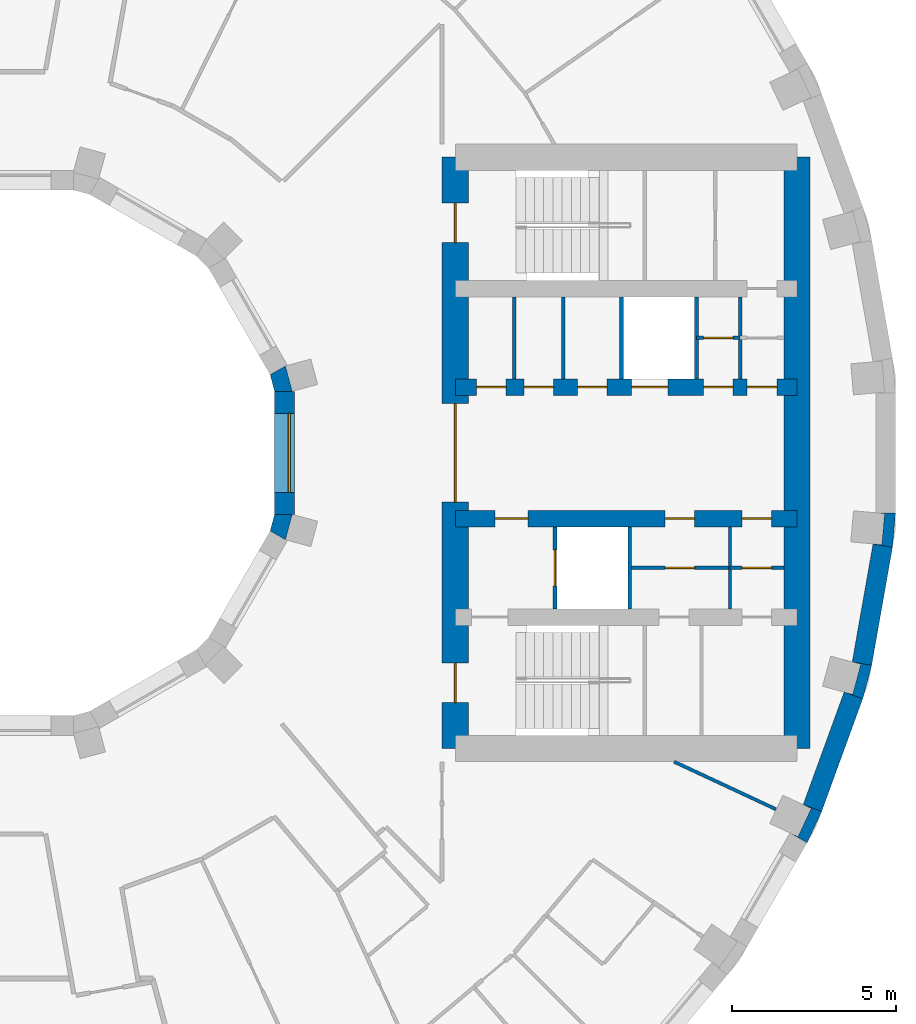
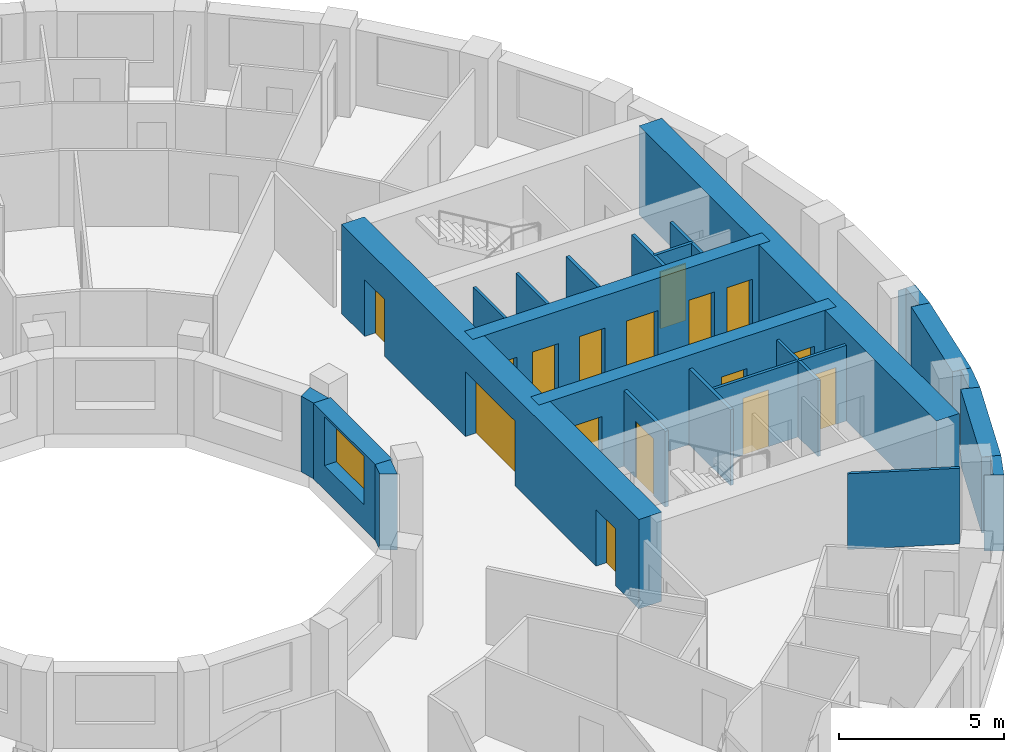
# One storey, part 10 of 16: 24 walls, 16 doors, 1 window, 17 openings.
"""IFC4 building model written with IfcOpenShell, lengths in metres."""

from ifc_helpers import new_model, si_unit, direction, frame, frame_2d, origin, place, context, subcontext, project, spatial, polyline, rectangle, outline, extrude, material, layer, layer_set, type_object, element, fill, save


model = new_model("IFC4")

# Units and contexts
model_context = context("Model", 3, precision=1e-05, world=origin(), true_north=direction((0.0, 1.0)))
body_context = subcontext(model_context, "Body", "Model", "MODEL_VIEW")
ifc_project = project(units=[si_unit("LENGTHUNIT", "METRE"), si_unit("AREAUNIT", "SQUARE_METRE"), si_unit("VOLUMEUNIT", "CUBIC_METRE"), si_unit("PLANEANGLEUNIT", "RADIAN"), si_unit("MASSUNIT", "GRAM", prefix="KILO")], contexts=[model_context])

# Site, building, storey
site_placement = place(None, origin())
site = spatial("IfcSite", under=ifc_project, at=site_placement, CompositionType="ELEMENT")
building_placement = place(site_placement, origin())
building = spatial("IfcBuilding", under=site, at=building_placement, Name="Saqina Gate Tower", CompositionType="ELEMENT")
storey_placement = place(building_placement, frame((0.0, 0.0, 141.39990234375)))
storey = spatial("IfcBuildingStorey", under=building, at=storey_placement, Name="L40", CompositionType="ELEMENT", Elevation=141.39990234375)

# Walls
ifc_material_1 = material(Name="Brick masonry (buff)", Category="masonry")
wall_type_1 = type_object("IfcWallType", Name="BRICK PIER COPING BUFF", PredefinedType="SOLIDWALL", material=ifc_material_1)
wall_1_placement = place(storey_placement, origin())
element("IfcWall", 1, at=wall_1_placement, inside=storey, type_object=wall_type_1, Name="Pier cap L40 column 34", PredefinedType="SOLIDWALL", context=body_context, shape_type="SweptSolid", body=[
    extrude(outline(polyline([(24.6513671875, -10.913330078125), (24.08740234375, -10.7080078125), (24.331298828125, -10.82177734375), (23.9296875, -11.6826171875), (23.68603515625, -11.569091796875), (24.205810546875, -11.869140625), (24.6513671875, -10.913330078125)])), origin(), (0.0, 0.0, 1.0), 2.800048828125),
])
wall_2_placement = place(storey_placement, origin())
element("IfcWall", 2, at=wall_2_placement, inside=storey, type_object=wall_type_1, Name="Pier cap L40 column 35", PredefinedType="SOLIDWALL", context=body_context, shape_type="SweptSolid", body=[
    extrude(outline(polyline([(25.89892578125, -7.485595703125), (26.171875, -6.466796875), (25.5810546875, -6.36279296875), (25.8408203125, -6.43212890625), (25.5947265625, -7.349853515625), (25.335205078125, -7.2802734375), (25.89892578125, -7.485595703125)])), origin(), (0.0, 0.0, 1.0), 2.800048828125),
])
wall_3_placement = place(storey_placement, origin())
element("IfcWall", 3, at=wall_3_placement, inside=storey, type_object=wall_type_1, Name="Pier cap L40 column 36", PredefinedType="SOLIDWALL", context=body_context, shape_type="SweptSolid", body=[
    extrude(outline(polyline([(26.805419921875, -2.87451171875), (26.897216796875, -1.823974609375), (26.29736328125, -1.823974609375), (26.565185546875, -1.847412109375), (26.482421875, -2.793701171875), (26.214599609375, -2.770263671875), (26.805419921875, -2.87451171875)])), origin(), (0.0, 0.0, 1.0), 2.800048828125),
])
ifc_material_2 = material(Name="Gypsum board on steel studs", Category="steel")
ifc_layer_1 = layer(ifc_material_2, 0.10009765625)
ifc_layer_set_1 = layer_set([ifc_layer_1], Name="CORE PARTITION")
wall_type_2 = type_object("IfcWallType", Name="CORE PARTITION", PredefinedType="PARTITIONING", material=ifc_layer_set_1)
for number, where, z_axis, x_axis, name in (
    (4, (15.298095703125, 2.25, 0.0), (0.0, 0.0, 1.0), (0.0, 1.0, 0.0), "L40-CP-E01"),
    (5, (16.789306640625, 2.25, 0.0), (0.0, 0.0, 1.0), (0.0, 1.0, 0.0), "L40-CP-E02"),
    (6, (22.169921875, 2.25, 0.0), (0.0, 0.0, 1.0), (0.0, 1.0, 0.0), "L40-CP-E05"),
    (7, (21.8583984375, -4.75, 0.0), (0.0, 0.0, 1.0), (0.0, 1.0, 0.0), "L40-CP-E08"),
):
    element("IfcWall", number, at=place(storey_placement, frame(where, z_axis=z_axis, x_axis=x_axis)), inside=storey, type_object=wall_type_2, Name=name, PredefinedType="PARTITIONING", context=body_context, shape_type="SweptSolid", body=[
        extrude(rectangle(XDim=2.5, YDim=0.10009765625, at=frame_2d((1.25, 0.0))), origin(), (0.0, 0.0, 1.0), 2.800048828125),
    ])

# Wall, opening, door
wall_4_placement = place(storey_placement, frame((20.840087890625, 3.5, 0.0), z_axis=(0.0, 0.0, 1.0), x_axis=(1.0, 0.0, 0.0)))
wall_4 = element("IfcWall", 8, at=wall_4_placement, inside=storey, type_object=wall_type_2, Name="L40-CP-E09", PredefinedType="PARTITIONING", context=body_context, shape_type="SweptSolid", body=[
    extrude(rectangle(XDim=1.329833984375, YDim=0.10009765625, at=frame_2d((0.6650390625, 0.0))), origin(), (0.0, 0.0, 1.0), 2.800048828125),
])
opening_1_placement = place(wall_4_placement, frame((0.215087890625, 0.0, 0.0)))
opening_1 = element("IfcOpeningElement", 9, at=opening_1_placement, cuts=wall_4, Name="Opening G12-D99", PredefinedType="OPENING", context=body_context, shape_type="SweptSolid", body=[
    extrude(rectangle(XDim=0.89990234375, YDim=2.10009765625, at=frame_2d((0.449951171875, 1.050048828125))), frame((0.0, 0.06201171875, 0.0), z_axis=(0.0, -1.0, 0.0), x_axis=(1.0, 0.0, 0.0)), (0.0, 0.0, 1.0), 0.1240234375),
])
ifc_material_3 = material(Name="Steel-framed fire door leaf, EI 60", Category="steel")
door_type_1 = type_object("IfcDoorType", Name="SERVICE ROOM DOOR 900", OperationType="SINGLE_SWING_LEFT", PredefinedType="DOOR", material=ifc_material_3)
door_1_placement = place(opening_1_placement, origin())
door_1 = element("IfcDoor", 10, at=door_1_placement, inside=storey, type_object=door_type_1, Name="L40-CD-E10", OperationType="SINGLE_SWING_LEFT", OverallHeight=2.10009765625, OverallWidth=0.89990234375, PredefinedType="DOOR", context=body_context, shape_type="SweptSolid", body=[
    extrude(rectangle(XDim=0.89990234375, YDim=2.10009765625, at=frame_2d((0.449951171875, 1.050048828125))), frame((0.0, 0.02490234375, 0.0), z_axis=(0.0, -1.0, 0.0), x_axis=(1.0, 0.0, 0.0)), (0.0, 0.0, 1.0), 0.050048828125),
])
fill(opening_1, door_1)

wall_5_placement = place(storey_placement, frame((18.81005859375, -3.5, 0.0), z_axis=(0.0, 0.0, 1.0), x_axis=(1.0, 0.0, 0.0)))
wall_5 = element("IfcWall", 11, at=wall_5_placement, inside=storey, type_object=wall_type_2, Name="L40-CP-E11", PredefinedType="PARTITIONING", context=body_context, shape_type="SweptSolid", body=[
    extrude(rectangle(XDim=3.04833984375, YDim=0.10009765625, at=frame_2d((1.524169921875, 0.0))), origin(), (0.0, 0.0, 1.0), 2.800048828125),
])
opening_2_placement = place(wall_5_placement, frame((1.07421875, 0.0, 0.0)))
opening_2 = element("IfcOpeningElement", 12, at=opening_2_placement, cuts=wall_5, Name="Opening G12-D103", PredefinedType="OPENING", context=body_context, shape_type="SweptSolid", body=[
    extrude(rectangle(XDim=0.89990234375, YDim=2.10009765625, at=frame_2d((0.449951171875, 1.050048828125))), frame((0.0, 0.06201171875, 0.0), z_axis=(0.0, -1.0, 0.0), x_axis=(1.0, 0.0, 0.0)), (0.0, 0.0, 1.0), 0.1240234375),
])
door_2_placement = place(opening_2_placement, frame((0.89990234375, 0.0, 0.0), z_axis=(0.0, 0.0, 1.0), x_axis=(-1.0, 0.0, 0.0)))
door_2 = element("IfcDoor", 13, at=door_2_placement, inside=storey, type_object=door_type_1, Name="L40-CD-E14", OperationType="SINGLE_SWING_RIGHT", OverallHeight=2.10009765625, OverallWidth=0.89990234375, PredefinedType="DOOR", context=body_context, shape_type="SweptSolid", body=[
    extrude(rectangle(XDim=0.89990234375, YDim=2.10009765625, at=frame_2d((0.449951171875, 1.050048828125))), frame((0.0, 0.02490234375, 0.0), z_axis=(0.0, -1.0, 0.0), x_axis=(1.0, 0.0, 0.0)), (0.0, 0.0, 1.0), 0.050048828125),
])
fill(opening_2, door_2)

wall_6_placement = place(storey_placement, frame((21.8583984375, -3.5, 0.0), z_axis=(0.0, 0.0, 1.0), x_axis=(1.0, 0.0, 0.0)))
wall_6 = element("IfcWall", 14, at=wall_6_placement, inside=storey, type_object=wall_type_2, Name="L40-CP-E12", PredefinedType="PARTITIONING", context=body_context, shape_type="SweptSolid", body=[
    extrude(rectangle(XDim=1.6416015625, YDim=0.10009765625, at=frame_2d((0.82080078125, 0.0))), origin(), (0.0, 0.0, 1.0), 2.800048828125),
])
opening_3_placement = place(wall_6_placement, frame((0.370849609375, 0.0, 0.0)))
opening_3 = element("IfcOpeningElement", 15, at=opening_3_placement, cuts=wall_6, Name="Opening G12-D102", PredefinedType="OPENING", context=body_context, shape_type="SweptSolid", body=[
    extrude(rectangle(XDim=0.89990234375, YDim=2.10009765625, at=frame_2d((0.449951171875, 1.050048828125))), frame((0.0, 0.06201171875, 0.0), z_axis=(0.0, -1.0, 0.0), x_axis=(1.0, 0.0, 0.0)), (0.0, 0.0, 1.0), 0.1240234375),
])
door_3_placement = place(opening_3_placement, frame((0.89990234375, 0.0, 0.0), z_axis=(0.0, 0.0, 1.0), x_axis=(-1.0, 0.0, 0.0)))
door_3 = element("IfcDoor", 16, at=door_3_placement, inside=storey, type_object=door_type_1, Name="L40-CD-E13", OperationType="SINGLE_SWING_LEFT", OverallHeight=2.10009765625, OverallWidth=0.89990234375, PredefinedType="DOOR", context=body_context, shape_type="SweptSolid", body=[
    extrude(rectangle(XDim=0.89990234375, YDim=2.10009765625, at=frame_2d((0.449951171875, 1.050048828125))), frame((0.0, 0.02490234375, 0.0), z_axis=(0.0, -1.0, 0.0), x_axis=(1.0, 0.0, 0.0)), (0.0, 0.0, 1.0), 0.050048828125),
])
fill(opening_3, door_3)

# Walls
ifc_material_4 = material(Name="Glazed ceramic tile", Category="ceramic")
ifc_layer_2 = layer(ifc_material_4, 0.60009765625)
ifc_layer_set_2 = layer_set([ifc_layer_2], Name="FW-TILE")
wall_type_3 = type_object("IfcWallType", Name="FW-TILE", PredefinedType="SOLIDWALL", material=ifc_layer_set_2)
wall_7_placement = place(storey_placement, frame((25.87646484375, -6.414794921875, 0.0), z_axis=(0.0, 0.0, 1.0), x_axis=(0.173670796382, 0.984803764455, 0.0)))
element("IfcWall", 17, at=wall_7_placement, inside=storey, type_object=wall_type_3, Name="Facade wall L40 facet 35", PredefinedType="SOLIDWALL", context=body_context, shape_type="SweptSolid", body=[
    extrude(rectangle(XDim=3.64794921875, YDim=0.60009765625, at=frame_2d((1.823974609375, 0.0))), origin(), (0.0, 0.0, 1.0), 2.800048828125),
])
ifc_material_5 = material(Name="Glazed ceramic tile (dark blue)", Category="ceramic")
ifc_layer_3 = layer(ifc_material_5, 0.60009765625)
ifc_layer_set_3 = layer_set([ifc_layer_3], Name="FW-TILE-CB")
wall_type_4 = type_object("IfcWallType", Name="FW-TILE-CB", PredefinedType="SOLIDWALL", material=ifc_layer_set_3)
wall_8_placement = place(storey_placement, frame((24.369384765625, -10.810791015625, 0.0), z_axis=(0.0, 0.0, 1.0), x_axis=(0.341990236633, 0.939703505393, 0.0)))
element("IfcWall", 18, at=wall_8_placement, inside=storey, type_object=wall_type_4, Name="Facade wall L40 facet 34", PredefinedType="SOLIDWALL", context=body_context, shape_type="SweptSolid", body=[
    extrude(rectangle(XDim=3.64794921875, YDim=0.60009765625, at=frame_2d((1.823974609375, 0.0))), origin(), (0.0, 0.0, 1.0), 2.800048828125),
])

# Wall, opening, window
ifc_material_6 = material(Name="Glazed ceramic tile", Category="ceramic")
ifc_layer_4 = layer(ifc_material_6, 0.60009765625)
ifc_layer_set_4 = layer_set([ifc_layer_4], Name="IW-TILE")
wall_type_5 = type_object("IfcWallType", Name="IW-TILE", PredefinedType="SOLIDWALL", material=ifc_layer_set_4)
wall_9_placement = place(storey_placement, frame((8.300048828125, -1.873779296875, 0.0), z_axis=(0.0, 0.0, 1.0), x_axis=(0.0, 1.0, 0.0)))
wall_9 = element("IfcWall", 19, at=wall_9_placement, inside=storey, type_object=wall_type_5, Name="Well wall L40 facet 12", PredefinedType="SOLIDWALL", context=body_context, shape_type="SweptSolid", body=[
    extrude(rectangle(XDim=3.74755859375, YDim=0.60009765625, at=frame_2d((1.873779296875, 0.0))), origin(), (0.0, 0.0, 1.0), 2.800048828125),
])
opening_4_placement = place(wall_9_placement, frame((0.673583984375, 0.0, 0.89990234375)))
opening_4 = element("IfcOpeningElement", 20, at=opening_4_placement, cuts=wall_9, Name="Opening G12-W34", PredefinedType="OPENING", context=body_context, shape_type="SweptSolid", body=[
    extrude(rectangle(XDim=2.39990234375, YDim=1.800048828125, at=frame_2d((1.199951171875, 0.89990234375))), frame((0.0, 0.31201171875, 0.0), z_axis=(0.0, -1.0, 0.0), x_axis=(1.0, 0.0, 0.0)), (0.0, 0.0, 1.0), 0.6240234375),
])
ifc_material_7 = material(Name="Aluminium glazing", Category="aluminium")
window_type = type_object("IfcWindowType", Name="WN-W", PartitioningType="SINGLE_PANEL", PredefinedType="WINDOW", material=ifc_material_7)
window_placement = place(opening_4_placement, origin())
window = element("IfcWindow", 21, at=window_placement, inside=storey, type_object=window_type, Name="Well window L40 facet 12", OverallHeight=1.800048828125, OverallWidth=2.39990234375, PartitioningType="SINGLE_PANEL", PredefinedType="WINDOW", context=body_context, shape_type="SweptSolid", body=[
    extrude(rectangle(XDim=2.39990234375, YDim=1.800048828125, at=frame_2d((1.199951171875, 0.89990234375))), frame((0.0, -0.119873046875, 0.0), z_axis=(0.0, -1.0, 0.0), x_axis=(1.0, 0.0, 0.0)), (0.0, 0.0, 1.0), 0.06005859375),
])
fill(opening_4, window)

# Walls
ifc_material_8 = material(Name="Gypsum board on steel studs, 100 mm", Category="steel")
ifc_layer_5 = layer(ifc_material_8, 0.10009765625)
ifc_layer_set_5 = layer_set([ifc_layer_5], Name="PARTITION 100")
wall_type_6 = type_object("IfcWallType", Name="PARTITION 100", PredefinedType="PARTITIONING", material=ifc_layer_set_5)
wall_10_placement = place(storey_placement, frame((20.159912109375, -9.39990234375, 0.0), z_axis=(0.0, 0.0, 1.0), x_axis=(0.906121146584, -0.423018282954, 0.0)))
element("IfcWall", 22, at=wall_10_placement, inside=storey, type_object=wall_type_6, Name="PARTITION PW3-46", PredefinedType="PARTITIONING", context=body_context, shape_type="SweptSolid", body=[
    extrude(rectangle(XDim=3.42138671875, YDim=0.10009765625, at=frame_2d((1.710693359375, 0.0))), origin(), (0.0, 0.0, 1.0), 2.800048828125),
])
ifc_material_9 = material(Name="Autoclaved aerated concrete block", Category="concrete")
ifc_layer_6 = layer(ifc_material_9, 0.1201171875)
ifc_layer_set_6 = layer_set([ifc_layer_6], Name="SHAFT PARTITION")
wall_type_7 = type_object("IfcWallType", Name="SHAFT PARTITION", PredefinedType="PARTITIONING", material=ifc_layer_set_6)
for number, where, z_axis, x_axis, name in (
    (23, (18.56005859375, 2.25, 0.0), (0.0, 0.0, 1.0), (0.0, 1.0, 0.0), "L40-CP-E03"),
    (24, (20.840087890625, 2.25, 0.0), (0.0, 0.0, 1.0), (0.0, 1.0, 0.0), "L40-CP-E04"),
):
    element("IfcWall", number, at=place(storey_placement, frame(where, z_axis=z_axis, x_axis=x_axis)), inside=storey, type_object=wall_type_7, Name=name, PredefinedType="PARTITIONING", context=body_context, shape_type="SweptSolid", body=[
        extrude(rectangle(XDim=2.5, YDim=0.1201171875, at=frame_2d((1.25, 0.0))), origin(), (0.0, 0.0, 1.0), 2.800048828125),
    ])

# Wall, opening, door
wall_11_placement = place(storey_placement, frame((16.530029296875, -4.75, 0.0), z_axis=(0.0, 0.0, 1.0), x_axis=(0.0, 1.0, 0.0)))
wall_11 = element("IfcWall", 25, at=wall_11_placement, inside=storey, type_object=wall_type_7, Name="L40-CP-E06", PredefinedType="PARTITIONING", context=body_context, shape_type="SweptSolid", body=[
    extrude(rectangle(XDim=2.5, YDim=0.1201171875, at=frame_2d((1.25, 0.0))), origin(), (0.0, 0.0, 1.0), 2.800048828125),
])
opening_5_placement = place(wall_11_placement, frame((0.699951171875, 0.0, 0.0)))
opening_5 = element("IfcOpeningElement", 26, at=opening_5_placement, cuts=wall_11, Name="Opening G12-LD2", PredefinedType="OPENING", context=body_context, shape_type="SweptSolid", body=[
    extrude(rectangle(XDim=1.10009765625, YDim=2.10009765625, at=frame_2d((0.550048828125, 1.050048828125))), frame((0.0, 0.072021484375, 0.0), z_axis=(0.0, -1.0, 0.0), x_axis=(1.0, 0.0, 0.0)), (0.0, 0.0, 1.0), 0.14404296875),
])
ifc_material_10 = material(Name="Stainless steel", Category="steel")
door_type_2 = type_object("IfcDoorType", Name="LANDING DOOR", OperationType="DOUBLE_DOOR_SLIDING", PredefinedType="DOOR", material=ifc_material_10)
door_4_placement = place(opening_5_placement, origin())
door_4 = element("IfcDoor", 27, at=door_4_placement, inside=storey, type_object=door_type_2, Name="LANDING DOOR FF1", OperationType="DOUBLE_DOOR_SLIDING", OverallHeight=2.10009765625, OverallWidth=1.10009765625, PredefinedType="DOOR", context=body_context, shape_type="SweptSolid", body=[
    extrude(rectangle(XDim=1.10009765625, YDim=2.10009765625, at=frame_2d((0.550048828125, 1.050048828125))), frame((0.0, 0.02490234375, 0.0), z_axis=(0.0, -1.0, 0.0), x_axis=(1.0, 0.0, 0.0)), (0.0, 0.0, 1.0), 0.050048828125),
])
fill(opening_5, door_4)

# Wall
wall_12_placement = place(storey_placement, frame((18.81005859375, -4.75, 0.0), z_axis=(0.0, 0.0, 1.0), x_axis=(0.0, 1.0, 0.0)))
element("IfcWall", 28, at=wall_12_placement, inside=storey, type_object=wall_type_7, Name="L40-CP-E07", PredefinedType="PARTITIONING", context=body_context, shape_type="SweptSolid", body=[
    extrude(rectangle(XDim=2.5, YDim=0.1201171875, at=frame_2d((1.25, 0.0))), origin(), (0.0, 0.0, 1.0), 2.800048828125),
])

# Wall, openings, doors
ifc_material_11 = material(Name="Concrete C70/85", Category="concrete")
ifc_layer_7 = layer(ifc_material_11, 0.5)
ifc_layer_set_7 = layer_set([ifc_layer_7], Name="Concrete C70/85")
wall_type_8 = type_object("IfcWallType", Name="STR-CORE WALL-B-I", PredefinedType="SHEAR", material=ifc_layer_set_7)
wall_13_placement = place(storey_placement, frame((13.5, 2.0, 0.0), z_axis=(0.0, 0.0, 1.0), x_axis=(1.0, 0.0, 0.0)))
wall_13 = element("IfcWall", 29, at=wall_13_placement, inside=storey, type_object=wall_type_8, Name="CORE WALL L40 E-L1", PredefinedType="SHEAR", context=body_context, shape_type="SweptSolid", body=[
    extrude(rectangle(XDim=10.39990234375, YDim=0.5, at=frame_2d((5.199951171875, 0.0))), origin(), (0.0, 0.0, 1.0), 3.300048828125),
])
opening_6_placement = place(wall_13_placement, frame((5.3701171875, 0.0, 0.0)))
opening_6 = element("IfcOpeningElement", 30, at=opening_6_placement, cuts=wall_13, Name="Opening G12-LD1", PredefinedType="OPENING", context=body_context, shape_type="SweptSolid", body=[
    extrude(rectangle(XDim=1.10009765625, YDim=2.10009765625, at=frame_2d((0.550048828125, 1.050048828125))), frame((0.0, 0.261962890625, 0.0), z_axis=(0.0, -1.0, 0.0), x_axis=(1.0, 0.0, 0.0)), (0.0, 0.0, 1.0), 0.52392578125),
])
opening_7_placement = place(wall_13_placement, frame((0.64892578125, 0.0, 0.0)))
opening_7 = element("IfcOpeningElement", 31, at=opening_7_placement, cuts=wall_13, Name="Opening G12-D90", PredefinedType="OPENING", context=body_context, shape_type="SweptSolid", body=[
    extrude(rectangle(XDim=0.89990234375, YDim=2.10009765625, at=frame_2d((0.449951171875, 1.050048828125))), frame((0.0, 0.261962890625, 0.0), z_axis=(0.0, -1.0, 0.0), x_axis=(1.0, 0.0, 0.0)), (0.0, 0.0, 1.0), 0.52392578125),
])
opening_8_placement = place(wall_13_placement, frame((2.093505859375, 0.0, 0.0)))
opening_8 = element("IfcOpeningElement", 32, at=opening_8_placement, cuts=wall_13, Name="Opening G12-D91", PredefinedType="OPENING", context=body_context, shape_type="SweptSolid", body=[
    extrude(rectangle(XDim=0.89990234375, YDim=2.10009765625, at=frame_2d((0.449951171875, 1.050048828125))), frame((0.0, 0.261962890625, 0.0), z_axis=(0.0, -1.0, 0.0), x_axis=(1.0, 0.0, 0.0)), (0.0, 0.0, 1.0), 0.52392578125),
])
opening_9_placement = place(wall_13_placement, frame((3.724609375, 0.0, 0.0)))
opening_9 = element("IfcOpeningElement", 33, at=opening_9_placement, cuts=wall_13, Name="Opening G12-D92", PredefinedType="OPENING", context=body_context, shape_type="SweptSolid", body=[
    extrude(rectangle(XDim=0.89990234375, YDim=2.10009765625, at=frame_2d((0.449951171875, 1.050048828125))), frame((0.0, 0.261962890625, 0.0), z_axis=(0.0, -1.0, 0.0), x_axis=(1.0, 0.0, 0.0)), (0.0, 0.0, 1.0), 0.52392578125),
])
opening_10_placement = place(wall_13_placement, frame((7.554931640625, 0.0, 0.0)))
opening_10 = element("IfcOpeningElement", 34, at=opening_10_placement, cuts=wall_13, Name="Opening G12-D93", PredefinedType="OPENING", context=body_context, shape_type="SweptSolid", body=[
    extrude(rectangle(XDim=0.89990234375, YDim=2.10009765625, at=frame_2d((0.449951171875, 1.050048828125))), frame((0.0, 0.261962890625, 0.0), z_axis=(0.0, -1.0, 0.0), x_axis=(1.0, 0.0, 0.0)), (0.0, 0.0, 1.0), 0.52392578125),
])
opening_11_placement = place(wall_13_placement, frame((8.885009765625, 0.0, 0.0)))
opening_11 = element("IfcOpeningElement", 35, at=opening_11_placement, cuts=wall_13, Name="Opening G12-D94", PredefinedType="OPENING", context=body_context, shape_type="SweptSolid", body=[
    extrude(rectangle(XDim=0.89990234375, YDim=2.10009765625, at=frame_2d((0.449951171875, 1.050048828125))), frame((0.0, 0.261962890625, 0.0), z_axis=(0.0, -1.0, 0.0), x_axis=(1.0, 0.0, 0.0)), (0.0, 0.0, 1.0), 0.52392578125),
])
door_5_placement = place(opening_6_placement, origin())
door_5 = element("IfcDoor", 36, at=door_5_placement, inside=storey, type_object=door_type_2, Name="LANDING DOOR MR1", OperationType="DOUBLE_DOOR_SLIDING", OverallHeight=2.10009765625, OverallWidth=1.10009765625, PredefinedType="DOOR", context=body_context, shape_type="SweptSolid", body=[
    extrude(rectangle(XDim=1.10009765625, YDim=2.10009765625, at=frame_2d((0.550048828125, 1.050048828125))), frame((0.0, 0.02490234375, 0.0), z_axis=(0.0, -1.0, 0.0), x_axis=(1.0, 0.0, 0.0)), (0.0, 0.0, 1.0), 0.050048828125),
])
fill(opening_6, door_5)
door_6_placement = place(opening_7_placement, origin())
door_6 = element("IfcDoor", 37, at=door_6_placement, inside=storey, type_object=door_type_1, Name="L40-CD-E01", OperationType="SINGLE_SWING_LEFT", OverallHeight=2.10009765625, OverallWidth=0.89990234375, PredefinedType="DOOR", context=body_context, shape_type="SweptSolid", body=[
    extrude(rectangle(XDim=0.89990234375, YDim=2.10009765625, at=frame_2d((0.449951171875, 1.050048828125))), frame((0.0, 0.02490234375, 0.0), z_axis=(0.0, -1.0, 0.0), x_axis=(1.0, 0.0, 0.0)), (0.0, 0.0, 1.0), 0.050048828125),
])
fill(opening_7, door_6)
door_7_placement = place(opening_8_placement, origin())
door_7 = element("IfcDoor", 38, at=door_7_placement, inside=storey, type_object=door_type_1, Name="L40-CD-E02", OperationType="SINGLE_SWING_LEFT", OverallHeight=2.10009765625, OverallWidth=0.89990234375, PredefinedType="DOOR", context=body_context, shape_type="SweptSolid", body=[
    extrude(rectangle(XDim=0.89990234375, YDim=2.10009765625, at=frame_2d((0.449951171875, 1.050048828125))), frame((0.0, 0.02490234375, 0.0), z_axis=(0.0, -1.0, 0.0), x_axis=(1.0, 0.0, 0.0)), (0.0, 0.0, 1.0), 0.050048828125),
])
fill(opening_8, door_7)
door_8_placement = place(opening_9_placement, origin())
door_8 = element("IfcDoor", 39, at=door_8_placement, inside=storey, type_object=door_type_1, Name="L40-CD-E03", OperationType="SINGLE_SWING_RIGHT", OverallHeight=2.10009765625, OverallWidth=0.89990234375, PredefinedType="DOOR", context=body_context, shape_type="SweptSolid", body=[
    extrude(rectangle(XDim=0.89990234375, YDim=2.10009765625, at=frame_2d((0.449951171875, 1.050048828125))), frame((0.0, 0.02490234375, 0.0), z_axis=(0.0, -1.0, 0.0), x_axis=(1.0, 0.0, 0.0)), (0.0, 0.0, 1.0), 0.050048828125),
])
fill(opening_9, door_8)
door_9_placement = place(opening_10_placement, origin())
door_9 = element("IfcDoor", 40, at=door_9_placement, inside=storey, type_object=door_type_1, Name="L40-CD-E04", OperationType="SINGLE_SWING_LEFT", OverallHeight=2.10009765625, OverallWidth=0.89990234375, PredefinedType="DOOR", context=body_context, shape_type="SweptSolid", body=[
    extrude(rectangle(XDim=0.89990234375, YDim=2.10009765625, at=frame_2d((0.449951171875, 1.050048828125))), frame((0.0, 0.02490234375, 0.0), z_axis=(0.0, -1.0, 0.0), x_axis=(1.0, 0.0, 0.0)), (0.0, 0.0, 1.0), 0.050048828125),
])
fill(opening_10, door_9)
door_10_placement = place(opening_11_placement, origin())
door_10 = element("IfcDoor", 41, at=door_10_placement, inside=storey, type_object=door_type_1, Name="L40-CD-E05", OperationType="SINGLE_SWING_RIGHT", OverallHeight=2.10009765625, OverallWidth=0.89990234375, PredefinedType="DOOR", context=body_context, shape_type="SweptSolid", body=[
    extrude(rectangle(XDim=0.89990234375, YDim=2.10009765625, at=frame_2d((0.449951171875, 1.050048828125))), frame((0.0, 0.02490234375, 0.0), z_axis=(0.0, -1.0, 0.0), x_axis=(1.0, 0.0, 0.0)), (0.0, 0.0, 1.0), 0.050048828125),
])
fill(opening_11, door_10)

wall_14_placement = place(storey_placement, frame((13.5, -2.0, 0.0), z_axis=(0.0, 0.0, 1.0), x_axis=(1.0, 0.0, 0.0)))
wall_14 = element("IfcWall", 42, at=wall_14_placement, inside=storey, type_object=wall_type_8, Name="CORE WALL L40 E-L2", PredefinedType="SHEAR", context=body_context, shape_type="SweptSolid", body=[
    extrude(rectangle(XDim=10.39990234375, YDim=0.5, at=frame_2d((5.199951171875, 0.0))), origin(), (0.0, 0.0, 1.0), 3.300048828125),
])
opening_12_placement = place(wall_14_placement, frame((1.215087890625, 0.0, 0.0)))
opening_12 = element("IfcOpeningElement", 43, at=opening_12_placement, cuts=wall_14, Name="Opening G12-D95", PredefinedType="OPENING", context=body_context, shape_type="SweptSolid", body=[
    extrude(rectangle(XDim=1.0, YDim=2.10009765625, at=frame_2d((0.5, 1.050048828125))), frame((0.0, 0.261962890625, 0.0), z_axis=(0.0, -1.0, 0.0), x_axis=(1.0, 0.0, 0.0)), (0.0, 0.0, 1.0), 0.52392578125),
])
opening_13_placement = place(wall_14_placement, frame((6.38427734375, 0.0, 0.0)))
opening_13 = element("IfcOpeningElement", 44, at=opening_13_placement, cuts=wall_14, Name="Opening G12-D96", PredefinedType="OPENING", context=body_context, shape_type="SweptSolid", body=[
    extrude(rectangle(XDim=0.89990234375, YDim=2.10009765625, at=frame_2d((0.449951171875, 1.050048828125))), frame((0.0, 0.261962890625, 0.0), z_axis=(0.0, -1.0, 0.0), x_axis=(1.0, 0.0, 0.0)), (0.0, 0.0, 1.0), 0.52392578125),
])
opening_14_placement = place(wall_14_placement, frame((8.729248046875, 0.0, 0.0)))
opening_14 = element("IfcOpeningElement", 45, at=opening_14_placement, cuts=wall_14, Name="Opening G12-D97", PredefinedType="OPENING", context=body_context, shape_type="SweptSolid", body=[
    extrude(rectangle(XDim=0.89990234375, YDim=2.10009765625, at=frame_2d((0.449951171875, 1.050048828125))), frame((0.0, 0.261962890625, 0.0), z_axis=(0.0, -1.0, 0.0), x_axis=(1.0, 0.0, 0.0)), (0.0, 0.0, 1.0), 0.52392578125),
])
ifc_material_12 = material(Name="Steel", Category="steel")
door_type_3 = type_object("IfcDoorType", Name="FIRE LOBBY DOOR EI 60", OperationType="SINGLE_SWING_LEFT", PredefinedType="DOOR", material=ifc_material_12)
door_11_placement = place(opening_12_placement, origin())
door_11 = element("IfcDoor", 46, at=door_11_placement, inside=storey, type_object=door_type_3, Name="L40-CD-E06", OperationType="SINGLE_SWING_LEFT", OverallHeight=2.10009765625, OverallWidth=1.0, PredefinedType="DOOR", context=body_context, shape_type="SweptSolid", body=[
    extrude(rectangle(XDim=1.0, YDim=2.10009765625, at=frame_2d((0.5, 1.050048828125))), frame((0.0, 0.02490234375, 0.0), z_axis=(0.0, -1.0, 0.0), x_axis=(1.0, 0.0, 0.0)), (0.0, 0.0, 1.0), 0.050048828125),
])
fill(opening_12, door_11)
door_12_placement = place(opening_13_placement, frame((0.89990234375, 0.0, 0.0), z_axis=(0.0, 0.0, 1.0), x_axis=(-1.0, 0.0, 0.0)))
door_12 = element("IfcDoor", 47, at=door_12_placement, inside=storey, type_object=door_type_1, Name="L40-CD-E07", OperationType="SINGLE_SWING_LEFT", OverallHeight=2.10009765625, OverallWidth=0.89990234375, PredefinedType="DOOR", context=body_context, shape_type="SweptSolid", body=[
    extrude(rectangle(XDim=0.89990234375, YDim=2.10009765625, at=frame_2d((0.449951171875, 1.050048828125))), frame((0.0, 0.02490234375, 0.0), z_axis=(0.0, -1.0, 0.0), x_axis=(1.0, 0.0, 0.0)), (0.0, 0.0, 1.0), 0.050048828125),
])
fill(opening_13, door_12)
door_13_placement = place(opening_14_placement, frame((0.89990234375, 0.0, 0.0), z_axis=(0.0, 0.0, 1.0), x_axis=(-1.0, 0.0, 0.0)))
door_13 = element("IfcDoor", 48, at=door_13_placement, inside=storey, type_object=door_type_1, Name="L40-CD-E08", OperationType="SINGLE_SWING_LEFT", OverallHeight=2.10009765625, OverallWidth=0.89990234375, PredefinedType="DOOR", context=body_context, shape_type="SweptSolid", body=[
    extrude(rectangle(XDim=0.89990234375, YDim=2.10009765625, at=frame_2d((0.449951171875, 1.050048828125))), frame((0.0, 0.02490234375, 0.0), z_axis=(0.0, -1.0, 0.0), x_axis=(1.0, 0.0, 0.0)), (0.0, 0.0, 1.0), 0.050048828125),
])
fill(opening_14, door_13)

ifc_material_13 = material(Name="Concrete C70/85", Category="concrete")
ifc_layer_8 = layer(ifc_material_13, 0.800048828125)
ifc_layer_set_8 = layer_set([ifc_layer_8], Name="Concrete C70/85")
wall_type_9 = type_object("IfcWallType", Name="STR-CORE WALL-B-O", PredefinedType="SHEAR", material=ifc_layer_set_8)
wall_15_placement = place(storey_placement, frame((13.5, -9.0, 0.0), z_axis=(0.0, 0.0, 1.0), x_axis=(0.0, 1.0, 0.0)))
wall_15 = element("IfcWall", 49, at=wall_15_placement, inside=storey, type_object=wall_type_9, Name="CORE WALL L40 E-W1", PredefinedType="SHEAR", context=body_context, shape_type="SweptSolid", body=[
    extrude(rectangle(XDim=18.0, YDim=0.800048828125, at=frame_2d((9.0, 0.0))), origin(), (0.0, 0.0, 1.0), 3.300048828125),
])
opening_15_placement = place(wall_15_placement, frame((15.39990234375, 0.0, 0.0)))
opening_15 = element("IfcOpeningElement", 50, at=opening_15_placement, cuts=wall_15, Name="Opening G12-D107", PredefinedType="OPENING", context=body_context, shape_type="SweptSolid", body=[
    extrude(rectangle(XDim=1.199951171875, YDim=2.10009765625, at=frame_2d((0.60009765625, 1.050048828125))), frame((0.0, 0.412109375, 0.0), z_axis=(0.0, -1.0, 0.0), x_axis=(1.0, 0.0, 0.0)), (0.0, 0.0, 1.0), 0.823974609375),
])
opening_16_placement = place(wall_15_placement, frame((1.39990234375, 0.0, 0.0)))
opening_16 = element("IfcOpeningElement", 51, at=opening_16_placement, cuts=wall_15, Name="Opening G12-D108", PredefinedType="OPENING", context=body_context, shape_type="SweptSolid", body=[
    extrude(rectangle(XDim=1.199951171875, YDim=2.10009765625, at=frame_2d((0.60009765625, 1.050048828125))), frame((0.0, 0.412109375, 0.0), z_axis=(0.0, -1.0, 0.0), x_axis=(1.0, 0.0, 0.0)), (0.0, 0.0, 1.0), 0.823974609375),
])
opening_17_placement = place(wall_15_placement, frame((7.5, 0.0, 0.0)))
opening_17 = element("IfcOpeningElement", 52, at=opening_17_placement, cuts=wall_15, Name="Opening G12-D109", PredefinedType="OPENING", context=body_context, shape_type="SweptSolid", body=[
    extrude(rectangle(XDim=3.0, YDim=2.39990234375, at=frame_2d((1.5, 1.199951171875))), frame((0.0, 0.412109375, 0.0), z_axis=(0.0, -1.0, 0.0), x_axis=(1.0, 0.0, 0.0)), (0.0, 0.0, 1.0), 0.823974609375),
])
ifc_material_14 = material(Name="Steel", Category="steel")
door_type_4 = type_object("IfcDoorType", Name="FIRE DOOR EI 60", OperationType="SINGLE_SWING_LEFT", PredefinedType="DOOR", material=ifc_material_14)
door_14_placement = place(opening_15_placement, frame((1.199951171875, 0.0, 0.0), z_axis=(0.0, 0.0, 1.0), x_axis=(-1.0, 0.0, 0.0)))
door_14 = element("IfcDoor", 53, at=door_14_placement, inside=storey, type_object=door_type_4, Name="L40-CD-E18", OperationType="SINGLE_SWING_LEFT", OverallHeight=2.10009765625, OverallWidth=1.199951171875, PredefinedType="DOOR", context=body_context, shape_type="SweptSolid", body=[
    extrude(rectangle(XDim=1.199951171875, YDim=2.10009765625, at=frame_2d((0.60009765625, 1.050048828125))), frame((0.0, 0.02490234375, 0.0), z_axis=(0.0, -1.0, 0.0), x_axis=(1.0, 0.0, 0.0)), (0.0, 0.0, 1.0), 0.050048828125),
])
fill(opening_15, door_14)
door_15_placement = place(opening_16_placement, frame((1.199951171875, 0.0, 0.0), z_axis=(0.0, 0.0, 1.0), x_axis=(-1.0, 0.0, 0.0)))
door_15 = element("IfcDoor", 54, at=door_15_placement, inside=storey, type_object=door_type_4, Name="L40-CD-E19", OperationType="SINGLE_SWING_RIGHT", OverallHeight=2.10009765625, OverallWidth=1.199951171875, PredefinedType="DOOR", context=body_context, shape_type="SweptSolid", body=[
    extrude(rectangle(XDim=1.199951171875, YDim=2.10009765625, at=frame_2d((0.60009765625, 1.050048828125))), frame((0.0, 0.02490234375, 0.0), z_axis=(0.0, -1.0, 0.0), x_axis=(1.0, 0.0, 0.0)), (0.0, 0.0, 1.0), 0.050048828125),
])
fill(opening_16, door_15)
ifc_material_15 = material(Name="Steel and fire-resisting glass", Category="steel")
door_type_5 = type_object("IfcDoorType", Name="LOBBY SCREEN DOOR", OperationType="DOUBLE_DOOR_SLIDING", PredefinedType="DOOR", material=ifc_material_15)
door_16_placement = place(opening_17_placement, origin())
door_16 = element("IfcDoor", 55, at=door_16_placement, inside=storey, type_object=door_type_5, Name="L40-CD-E20", OperationType="DOUBLE_DOOR_SLIDING", OverallHeight=2.39990234375, OverallWidth=3.0, PredefinedType="DOOR", context=body_context, shape_type="SweptSolid", body=[
    extrude(rectangle(XDim=3.0, YDim=2.39990234375, at=frame_2d((1.5, 1.199951171875))), frame((0.0, 0.02490234375, 0.0), z_axis=(0.0, -1.0, 0.0), x_axis=(1.0, 0.0, 0.0)), (0.0, 0.0, 1.0), 0.050048828125),
])
fill(opening_17, door_16)

# Walls
wall_16_placement = place(storey_placement, frame((23.89990234375, -9.0, 0.0), z_axis=(0.0, 0.0, 1.0), x_axis=(0.0, 1.0, 0.0)))
element("IfcWall", 56, at=wall_16_placement, inside=storey, type_object=wall_type_9, Name="CORE WALL L40 E-W2", PredefinedType="SHEAR", context=body_context, shape_type="SweptSolid", body=[
    extrude(rectangle(XDim=18.0, YDim=0.800048828125, at=frame_2d((9.0, 0.0))), origin(), (0.0, 0.0, 1.0), 3.300048828125),
])
ifc_material_16 = material(Name="Glazed ceramic tile", Category="ceramic")
wall_type_10 = type_object("IfcWallType", Name="TILE PIER COPING", PredefinedType="SOLIDWALL", material=ifc_material_16)
wall_17_placement = place(storey_placement, origin())
element("IfcWall", 57, at=wall_17_placement, inside=storey, type_object=wall_type_10, Name="Well pier cap L40 column 1", PredefinedType="SOLIDWALL", context=body_context, shape_type="SweptSolid", body=[
    extrude(outline(polyline([(8.3310546875, 2.646484375), (7.864990234375, 2.377197265625), (8.0, 1.873779296875), (8.5380859375, 1.873779296875), (8.3310546875, 2.646484375)])), origin(), (0.0, 0.0, 1.0), 2.800048828125),
])
wall_18_placement = place(storey_placement, origin())
element("IfcWall", 58, at=wall_18_placement, inside=storey, type_object=wall_type_10, Name="Well pier cap L40 column 12", PredefinedType="SOLIDWALL", context=body_context, shape_type="SweptSolid", body=[
    extrude(outline(polyline([(8.5380859375, -1.873779296875), (8.0, -1.873779296875), (7.864990234375, -2.377197265625), (8.3310546875, -2.646484375), (8.5380859375, -1.873779296875)])), origin(), (0.0, 0.0, 1.0), 2.800048828125),
])

save(model, "model.ifc")
